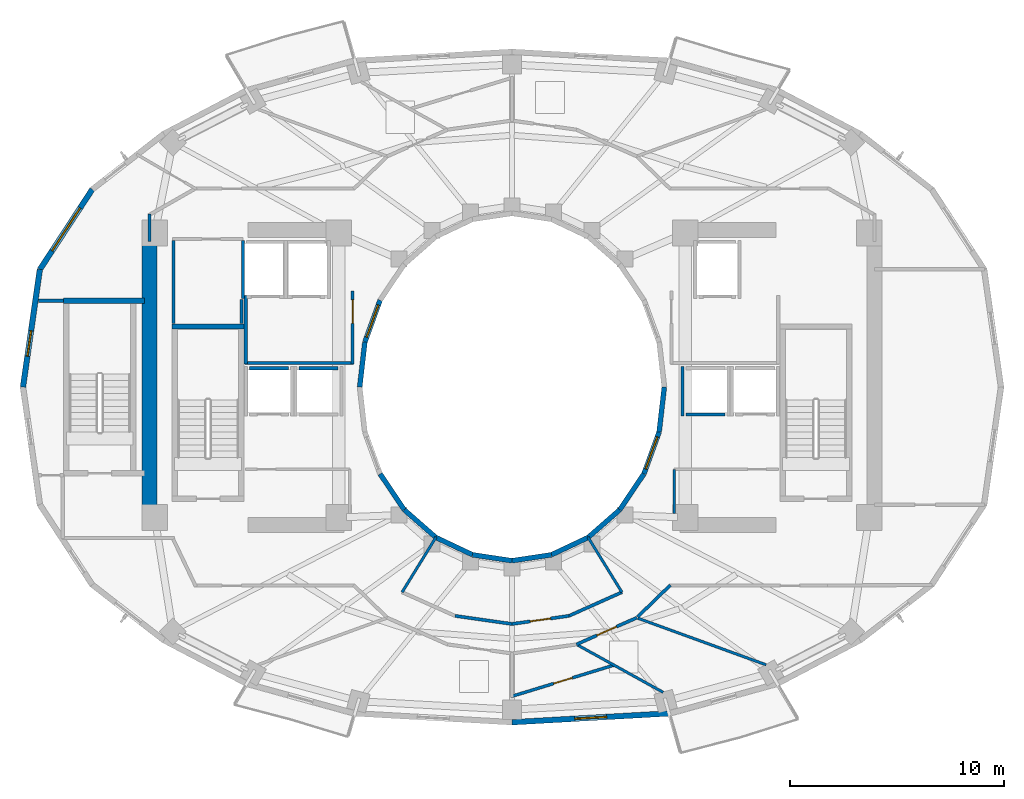
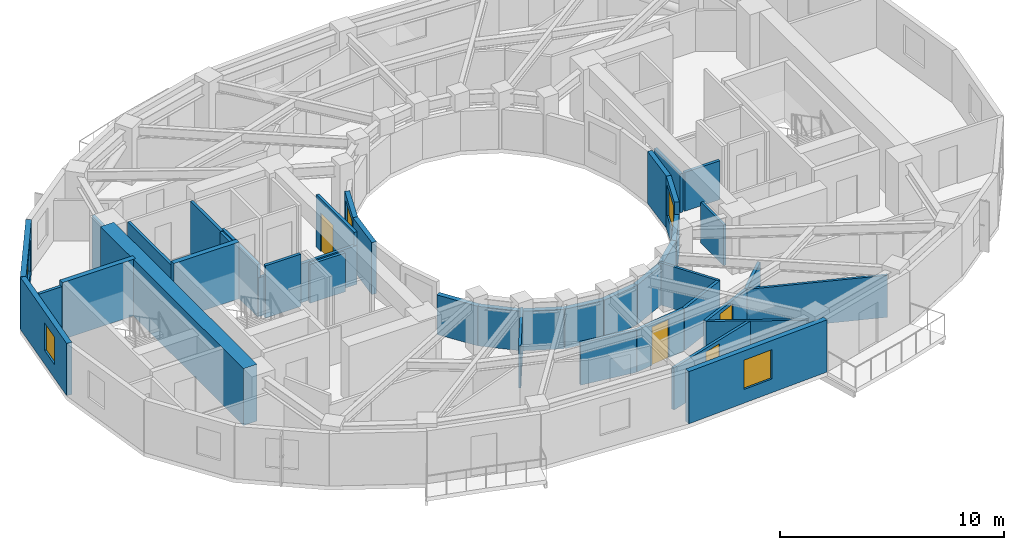
# One storey, part 4 of 10: 41 walls, 5 windows, 4 doors, 9 openings.
"""IFC4 building model written with IfcOpenShell, lengths in metres."""

from ifc_helpers import new_model, si_unit, direction, frame, frame_2d, origin, place, context, subcontext, project, spatial, rectangle, extrude, material, layer, layer_set, type_object, element, fill, save


model = new_model("IFC4")

# Units and contexts
model_context = context("Model", 3, precision=1e-05, world=origin(), true_north=direction((0.0, 1.0)))
body_context = subcontext(model_context, "Body", "Model", "MODEL_VIEW")
ifc_project = project(units=[si_unit("LENGTHUNIT", "METRE"), si_unit("AREAUNIT", "SQUARE_METRE"), si_unit("VOLUMEUNIT", "CUBIC_METRE"), si_unit("PLANEANGLEUNIT", "RADIAN"), si_unit("MASSUNIT", "GRAM", prefix="KILO")], contexts=[model_context])

# Site, building, storey
site_placement = place(None, origin())
site = spatial("IfcSite", under=ifc_project, at=site_placement, CompositionType="ELEMENT")
building_placement = place(site_placement, origin())
building = spatial("IfcBuilding", under=site, at=building_placement, Name="Solvane Sanctuary Tower", CompositionType="ELEMENT")
storey_placement = place(building_placement, frame((0.0, 0.0, 165.300048828125)))
storey = spatial("IfcBuildingStorey", under=building, at=storey_placement, Name="L50", CompositionType="ELEMENT", Elevation=165.300048828125)

# Walls
ifc_material_1 = material(Name="Concrete C60/75", Category="concrete")
ifc_layer_1 = layer(ifc_material_1, 0.699951171875, Name="Concrete C60/75")
ifc_layer_set_1 = layer_set([ifc_layer_1], Name="Concrete C60/75")
wall_type_1 = type_object("IfcWallType", Name="Wall W-CORE-700", PredefinedType="SHEAR", material=ifc_layer_set_1)
wall_1_placement = place(storey_placement, frame((15.050048828125, 17.050048828125, 0.0), z_axis=(0.0, 0.0, 1.0), x_axis=(0.0, 1.0, 0.0)))
element("IfcWall", 1, at=wall_1_placement, inside=storey, type_object=wall_type_1, Name="L50 Core Shear Wall WC-W", PredefinedType="SHEAR", context=body_context, shape_type="SweptSolid", body=[
    extrude(rectangle(XDim=12.800048828125, YDim=0.699951171875, at=frame_2d((6.39990234375, 0.0))), origin(), (0.0, 0.0, 1.0), 3.099853515625),
])
ifc_material_2 = material(Name="Acoustic Gypsum Partition Board")
ifc_layer_2 = layer(ifc_material_2, 0.14990234375, Name="Acoustic Gypsum Partition Board")
ifc_layer_set_2 = layer_set([ifc_layer_2], Name="Acoustic Gypsum Partition Board")
wall_type_2 = type_object("IfcWallType", Name="Wall W-CORR-150", PredefinedType="PARTITIONING", material=ifc_layer_set_2)
wall_2_placement = place(storey_placement, frame((19.52001953125, 24.1201171875, 0.0), z_axis=(0.0, 0.0, 1.0), x_axis=(1.0, 0.0, 0.0)))
element("IfcWall", 2, at=wall_2_placement, inside=storey, type_object=wall_type_2, Name="L50 West Firefighting Lobby South Wall", PredefinedType="PARTITIONING", context=body_context, shape_type="SweptSolid", body=[
    extrude(rectangle(XDim=5.080078125, YDim=0.14990234375, at=frame_2d((2.5400390625, 0.0))), origin(), (0.0, 0.0, 1.0), 2.119873046875),
])
wall_3_placement = place(storey_placement, frame((19.550048828125, 24.080078125, 0.0), z_axis=(0.0, 0.0, 1.0), x_axis=(0.0, 1.0, 0.0)))
element("IfcWall", 3, at=wall_3_placement, inside=storey, type_object=wall_type_2, Name="L50 West Firefighting Lobby West Wall", PredefinedType="PARTITIONING", context=body_context, shape_type="SweptSolid", body=[
    extrude(rectangle(XDim=3.199951171875, YDim=0.14990234375, at=frame_2d((1.60009765625, 0.0))), origin(), (0.0, 0.0, 1.0), 2.85498046875),
])

# Wall, opening, door
wall_4_placement = place(storey_placement, frame((24.550048828125, 24.080078125, 0.0), z_axis=(0.0, 0.0, 1.0), x_axis=(0.0, 1.0, 0.0)))
wall_4 = element("IfcWall", 4, at=wall_4_placement, inside=storey, type_object=wall_type_2, Name="L50 West Firefighting Lobby East Wall", PredefinedType="PARTITIONING", context=body_context, shape_type="SweptSolid", body=[
    extrude(rectangle(XDim=3.39990234375, YDim=0.14990234375, at=frame_2d((1.699951171875, 0.0))), origin(), (0.0, 0.0, 1.0), 2.85498046875),
])
opening_1_placement = place(wall_4_placement, frame((1.893798828125, 0.0, 0.0)))
opening_1 = element("IfcOpeningElement", 5, at=opening_1_placement, cuts=wall_4, Name="Opening D-L50-08", PredefinedType="OPENING", context=body_context, shape_type="SweptSolid", body=[
    extrude(rectangle(XDim=1.10009765625, YDim=2.10009765625, at=frame_2d((0.550048828125, 1.050048828125))), frame((0.0, 0.0849609375, 0.0), z_axis=(0.0, -1.0, 0.0), x_axis=(1.0, 0.0, 0.0)), (0.0, 0.0, 1.0), 0.169921875),
])
ifc_material_3 = material(Name="Architectural Stainless Steel 316", Category="steel")
door_type_1 = type_object("IfcDoorType", Name="Door D-FFL", OperationType="NOTDEFINED", PredefinedType="DOOR", material=ifc_material_3)
door_1_placement = place(opening_1_placement, origin())
door_1 = element("IfcDoor", 6, at=door_1_placement, inside=storey, type_object=door_type_1, Name="L50 West Firefighting Lobby Fire Door", OperationType="SINGLE_SWING_LEFT", OverallHeight=2.10009765625, OverallWidth=1.10009765625, PredefinedType="DOOR", context=body_context, shape_type="SweptSolid", body=[
    extrude(rectangle(XDim=1.10009765625, YDim=2.10009765625, at=frame_2d((0.550048828125, 1.050048828125))), frame((0.0, 0.02490234375, 0.0), z_axis=(0.0, -1.0, 0.0), x_axis=(1.0, 0.0, 0.0)), (0.0, 0.0, 1.0), 0.050048828125),
])
fill(opening_1, door_1)

# Walls
wall_5_placement = place(storey_placement, frame((9.869873046875, 27.030029296875, 0.0), z_axis=(0.0, 0.0, 1.0), x_axis=(1.0, 0.0, 0.0)))
element("IfcWall", 7, at=wall_5_placement, inside=storey, type_object=wall_type_2, Name="L50 NW Corner Closer 1", PredefinedType="PARTITIONING", context=body_context, shape_type="SweptSolid", body=[
    extrude(rectangle(XDim=1.170166015625, YDim=0.14990234375, at=frame_2d((0.5849609375, 0.0))), origin(), (0.0, 0.0, 1.0), 2.85498046875),
])
wall_6_placement = place(storey_placement, frame((15.050048828125, 29.800048828125, 0.0), z_axis=(0.0, 0.0, 1.0), x_axis=(0.0, 1.0, 0.0)))
element("IfcWall", 8, at=wall_6_placement, inside=storey, type_object=wall_type_2, Name="L50 NW Corner Closer 2", PredefinedType="PARTITIONING", context=body_context, shape_type="SweptSolid", body=[
    extrude(rectangle(XDim=1.2900390625, YDim=0.14990234375, at=frame_2d((0.64501953125, 0.0))), origin(), (0.0, 0.0, 1.0), 2.85498046875),
])
wall_7_placement = place(storey_placement, frame((37.867431640625, 12.251220703125, 0.0), z_axis=(0.0, 0.0, 1.0), x_axis=(0.717419568599, 0.696641344302, 0.0)))
element("IfcWall", 9, at=wall_7_placement, inside=storey, type_object=wall_type_2, Name="L50 SE Corner Throat Wall", PredefinedType="PARTITIONING", context=body_context, shape_type="SweptSolid", body=[
    extrude(rectangle(XDim=2.138427734375, YDim=0.14990234375, at=frame_2d((1.0693359375, 0.0))), origin(), (0.0, 0.0, 1.0), 2.299072265625),
])
wall_8_placement = place(storey_placement, frame((29.338623046875, 12.302001953125, 0.0), z_axis=(0.0, 0.0, 1.0), x_axis=(0.990079774468, -0.140506370634, 0.0)))
element("IfcWall", 10, at=wall_8_placement, inside=storey, type_object=wall_type_2, Name="L50 Inner Light-Well Corridor Wall S1", PredefinedType="PARTITIONING", context=body_context, shape_type="SweptSolid", body=[
    extrude(rectangle(XDim=2.689697265625, YDim=0.14990234375, at=frame_2d((1.3447265625, 0.0))), origin(), (0.0, 0.0, 1.0), 2.299072265625),
])

# Wall, opening, door
wall_9_placement = place(storey_placement, frame((31.998291015625, 11.924072265625, 0.0), z_axis=(0.0, 0.0, 1.0), x_axis=(0.990079774468, 0.140506370634, 0.0)))
wall_9 = element("IfcWall", 11, at=wall_9_placement, inside=storey, type_object=wall_type_2, Name="L50 Inner Light-Well Corridor Wall S1", PredefinedType="PARTITIONING", context=body_context, shape_type="SweptSolid", body=[
    extrude(rectangle(XDim=2.689697265625, YDim=0.14990234375, at=frame_2d((1.3447265625, 0.0))), origin(), (0.0, 0.0, 1.0), 2.299072265625),
])
opening_2_placement = place(wall_9_placement, frame((0.869873046875, 0.0, 0.0)))
opening_2 = element("IfcOpeningElement", 12, at=opening_2_placement, cuts=wall_9, Name="Opening D-L50-20", PredefinedType="OPENING", context=body_context, shape_type="SweptSolid", body=[
    extrude(rectangle(XDim=0.949951171875, YDim=2.10009765625, at=frame_2d((0.47509765625, 1.050048828125))), frame((0.0, 0.0849609375, 0.0), z_axis=(0.0, -1.0, 0.0), x_axis=(1.0, 0.0, 0.0)), (0.0, 0.0, 1.0), 0.169921875),
])
ifc_material_4 = material(Name="Engineered Tropical Hardwood", Category="wood")
door_type_2 = type_object("IfcDoorType", Name="Door D-ROOM-950", OperationType="NOTDEFINED", PredefinedType="DOOR", material=ifc_material_4)
door_2_placement = place(opening_2_placement, origin())
door_2 = element("IfcDoor", 13, at=door_2_placement, inside=storey, type_object=door_type_2, Name="L50 Inner Light-Well Salon Door S1", OperationType="SINGLE_SWING_LEFT", OverallHeight=2.10009765625, OverallWidth=0.949951171875, PredefinedType="DOOR", context=body_context, shape_type="SweptSolid", body=[
    extrude(rectangle(XDim=0.949951171875, YDim=2.10009765625, at=frame_2d((0.47509765625, 1.050048828125))), frame((0.0, 0.02490234375, 0.0), z_axis=(0.0, -1.0, 0.0), x_axis=(1.0, 0.0, 0.0)), (0.0, 0.0, 1.0), 0.050048828125),
])
fill(opening_2, door_2)

# Wall
wall_10_placement = place(storey_placement, frame((34.657958984375, 12.30078125, 0.0), z_axis=(0.0, 0.0, 1.0), x_axis=(0.912985265053, 0.407992531545, 0.0)))
element("IfcWall", 14, at=wall_10_placement, inside=storey, type_object=wall_type_2, Name="L50 Inner Light-Well Corridor Wall S1", PredefinedType="PARTITIONING", context=body_context, shape_type="SweptSolid", body=[
    extrude(rectangle(XDim=2.723388671875, YDim=0.14990234375, at=frame_2d((1.36181640625, 0.0))), origin(), (0.0, 0.0, 1.0), 2.299072265625),
])

# Wall, opening, door
wall_11_placement = place(storey_placement, frame((35.0087890625, 10.96630859375, 0.0), z_axis=(0.0, 0.0, 1.0), x_axis=(0.91445214467, 0.404694051239, 0.0)))
wall_11 = element("IfcWall", 15, at=wall_11_placement, inside=storey, type_object=wall_type_2, Name="L50 Unit Corridor Wall S2", PredefinedType="PARTITIONING", context=body_context, shape_type="SweptSolid", body=[
    extrude(rectangle(XDim=3.090576171875, YDim=0.14990234375, at=frame_2d((1.54541015625, 0.0))), origin(), (0.0, 0.0, 1.0), 2.299072265625),
])
opening_3_placement = place(wall_11_placement, frame((1.04541015625, 0.0, 0.0)))
opening_3 = element("IfcOpeningElement", 16, at=opening_3_placement, cuts=wall_11, Name="Opening D-L50-26", PredefinedType="OPENING", context=body_context, shape_type="SweptSolid", body=[
    extrude(rectangle(XDim=1.0, YDim=2.10009765625, at=frame_2d((0.5, 1.050048828125))), frame((0.0, 0.0849609375, 0.0), z_axis=(0.0, -1.0, 0.0), x_axis=(1.0, 0.0, 0.0)), (0.0, 0.0, 1.0), 0.169921875),
])
door_type_3 = type_object("IfcDoorType", Name="Door D-UNIT", OperationType="NOTDEFINED", PredefinedType="DOOR", material=ifc_material_4)
door_3_placement = place(opening_3_placement, origin())
door_3 = element("IfcDoor", 17, at=door_3_placement, inside=storey, type_object=door_type_3, Name="L50 Unit Entrance Door S2", OperationType="SINGLE_SWING_LEFT", OverallHeight=2.10009765625, OverallWidth=1.0, PredefinedType="DOOR", context=body_context, shape_type="SweptSolid", body=[
    extrude(rectangle(XDim=1.0, YDim=2.10009765625, at=frame_2d((0.5, 1.050048828125))), frame((0.0, 0.02490234375, 0.0), z_axis=(0.0, -1.0, 0.0), x_axis=(1.0, 0.0, 0.0)), (0.0, 0.0, 1.0), 0.050048828125),
])
fill(opening_3, door_3)

# Wall, opening, window
ifc_material_5 = material(Name="Precast concrete C40/50", Category="concrete")
ifc_layer_3 = layer(ifc_material_5, 0.260009765625, Name="Precast concrete C40/50")
ifc_layer_set_3 = layer_set([ifc_layer_3], Name="Precast concrete C40/50")
wall_type_3 = type_object("IfcWallType", Name="Wall W-EXT-250", PredefinedType="STANDARD", material=ifc_layer_set_3)
wall_12_placement = place(storey_placement, frame((12.380859375, 32.243408203125, 0.0), z_axis=(0.0, 0.0, 1.0), x_axis=(-0.547456494366, -0.836834145322, 0.0)))
wall_12 = element("IfcWall", 18, at=wall_12_placement, inside=storey, type_object=wall_type_3, Name="L50 Ceramic-Printed Facade Wall 10", PredefinedType="STANDARD", context=body_context, shape_type="SweptSolid", body=[
    extrude(rectangle(XDim=4.477294921875, YDim=0.260009765625, at=frame_2d((2.23876953125, 0.0))), origin(), (0.0, 0.0, 1.0), 2.849853515625),
])
opening_4_placement = place(wall_12_placement, frame((1.038818359375, 0.0, 0.75)))
opening_4 = element("IfcOpeningElement", 19, at=opening_4_placement, cuts=wall_12, Name="Opening WN-RIB-2400", PredefinedType="OPENING", context=body_context, shape_type="SweptSolid", body=[
    extrude(rectangle(XDim=2.39990234375, YDim=1.699951171875, at=frame_2d((1.199951171875, 0.85009765625))), frame((0.0, 0.139892578125, 0.0), z_axis=(0.0, -1.0, 0.0), x_axis=(1.0, 0.0, 0.0)), (0.0, 0.0, 1.0), 0.280029296875),
])
ifc_material_6 = material(Name="Dark Ceramic-Fritted Low-E Glass", Category="glass")
window_type_1 = type_object("IfcWindowType", Name="Window WN-RIB-2400", PartitioningType="SINGLE_PANEL", PredefinedType="WINDOW", material=ifc_material_6)
window_1_placement = place(opening_4_placement, origin())
window_1 = element("IfcWindow", 20, at=window_1_placement, inside=storey, type_object=window_type_1, Name="L50 Operable Facade Window 10", OverallHeight=1.699951171875, OverallWidth=2.39990234375, PartitioningType="SINGLE_PANEL", PredefinedType="WINDOW", context=body_context, shape_type="SweptSolid", body=[
    extrude(rectangle(XDim=2.39990234375, YDim=1.699951171875, at=frame_2d((1.199951171875, 0.85009765625))), frame((0.0, 0.030029296875, 0.0), z_axis=(0.0, -1.0, 0.0), x_axis=(1.0, 0.0, 0.0)), (0.0, 0.0, 1.0), 0.06005859375),
])
fill(opening_4, window_1)

wall_13_placement = place(storey_placement, frame((9.9296875, 28.49658203125, 0.0), z_axis=(0.0, 0.0, 1.0), x_axis=(-0.142227632286, -0.989833976288, 0.0)))
wall_13 = element("IfcWall", 21, at=wall_13_placement, inside=storey, type_object=wall_type_3, Name="L50 Ceramic-Printed Facade Wall 11", PredefinedType="STANDARD", context=body_context, shape_type="SweptSolid", body=[
    extrude(rectangle(XDim=5.552978515625, YDim=0.260009765625, at=frame_2d((2.7763671875, 0.0))), origin(), (0.0, 0.0, 1.0), 2.849853515625),
])
opening_5_placement = place(wall_13_placement, frame((2.892333984375, 0.0, 0.75)))
opening_5 = element("IfcOpeningElement", 22, at=opening_5_placement, cuts=wall_13, Name="Opening WN-OPER-1200", PredefinedType="OPENING", context=body_context, shape_type="SweptSolid", body=[
    extrude(rectangle(XDim=1.199951171875, YDim=1.5, at=frame_2d((0.60009765625, 0.75))), frame((0.0, 0.139892578125, 0.0), z_axis=(0.0, -1.0, 0.0), x_axis=(1.0, 0.0, 0.0)), (0.0, 0.0, 1.0), 0.280029296875),
])
window_type_2 = type_object("IfcWindowType", Name="Window WN-OPER-1200", PartitioningType="SINGLE_PANEL", PredefinedType="WINDOW", material=ifc_material_6)
window_2_placement = place(opening_5_placement, origin())
window_2 = element("IfcWindow", 23, at=window_2_placement, inside=storey, type_object=window_type_2, Name="L50 Operable Facade Window 11", OverallHeight=1.5, OverallWidth=1.199951171875, PartitioningType="SINGLE_PANEL", PredefinedType="WINDOW", context=body_context, shape_type="SweptSolid", body=[
    extrude(rectangle(XDim=1.199951171875, YDim=1.5, at=frame_2d((0.60009765625, 0.75))), frame((0.0, 0.030029296875, 0.0), z_axis=(0.0, -1.0, 0.0), x_axis=(1.0, 0.0, 0.0)), (0.0, 0.0, 1.0), 0.06005859375),
])
fill(opening_5, window_2)

wall_14_placement = place(storey_placement, frame((32.0, 7.32861328125, 0.0), z_axis=(0.0, 0.0, 1.0), x_axis=(0.998417906562, 0.056228852534, 0.0)))
wall_14 = element("IfcWall", 24, at=wall_14_placement, inside=storey, type_object=wall_type_3, Name="L50 Ceramic-Printed Facade Wall 18", PredefinedType="STANDARD", context=body_context, shape_type="SweptSolid", body=[
    extrude(rectangle(XDim=7.376953125, YDim=0.260009765625, at=frame_2d((3.6884765625, 0.0))), origin(), (0.0, 0.0, 1.0), 2.849853515625),
])
opening_6_placement = place(wall_14_placement, frame((2.9384765625, 0.0, 0.75)))
opening_6 = element("IfcOpeningElement", 25, at=opening_6_placement, cuts=wall_14, Name="Opening WN-OPER-1500", PredefinedType="OPENING", context=body_context, shape_type="SweptSolid", body=[
    extrude(rectangle(XDim=1.5, YDim=1.60009765625, at=frame_2d((0.75, 0.800048828125))), frame((0.0, 0.139892578125, 0.0), z_axis=(0.0, -1.0, 0.0), x_axis=(1.0, 0.0, 0.0)), (0.0, 0.0, 1.0), 0.280029296875),
])
window_type_3 = type_object("IfcWindowType", Name="Window WN-OPER-1500", PartitioningType="SINGLE_PANEL", PredefinedType="WINDOW", material=ifc_material_6)
window_3_placement = place(opening_6_placement, origin())
window_3 = element("IfcWindow", 26, at=window_3_placement, inside=storey, type_object=window_type_3, Name="L50 Operable Facade Window 18", OverallHeight=1.60009765625, OverallWidth=1.5, PartitioningType="SINGLE_PANEL", PredefinedType="WINDOW", context=body_context, shape_type="SweptSolid", body=[
    extrude(rectangle(XDim=1.5, YDim=1.60009765625, at=frame_2d((0.75, 0.800048828125))), frame((0.0, 0.030029296875, 0.0), z_axis=(0.0, -1.0, 0.0), x_axis=(1.0, 0.0, 0.0)), (0.0, 0.0, 1.0), 0.06005859375),
])
fill(opening_6, window_3)

ifc_layer_4 = layer(ifc_material_5, 0.22998046875, Name="Precast concrete C40/50")
ifc_layer_set_4 = layer_set([ifc_layer_4], Name="Precast concrete C40/50")
wall_type_4 = type_object("IfcWallType", Name="Wall W-EXT-SP220", PredefinedType="STANDARD", material=ifc_layer_set_4)
wall_15_placement = place(storey_placement, frame((25.833984375, 27.06005859375, 0.0), z_axis=(0.0, 0.0, 1.0), x_axis=(-0.341423187295, -0.93990968033, 0.0)))
wall_15 = element("IfcWall", 27, at=wall_15_placement, inside=storey, type_object=wall_type_4, Name="L50 Central Light-Well Wall 10", PredefinedType="STANDARD", context=body_context, shape_type="SweptSolid", body=[
    extrude(rectangle(XDim=2.083740234375, YDim=0.22998046875, at=frame_2d((1.0419921875, 0.0))), origin(), (0.0, 0.0, 1.0), 2.83984375),
])
opening_7_placement = place(wall_15_placement, frame((0.24169921875, 0.0, 0.85009765625)))
opening_7 = element("IfcOpeningElement", 28, at=opening_7_placement, cuts=wall_15, Name="Opening WN-WELL-1600", PredefinedType="OPENING", context=body_context, shape_type="SweptSolid", body=[
    extrude(rectangle(XDim=1.60009765625, YDim=1.64990234375, at=frame_2d((0.800048828125, 0.824951171875))), frame((0.0, 0.125, 0.0), z_axis=(0.0, -1.0, 0.0), x_axis=(1.0, 0.0, 0.0)), (0.0, 0.0, 1.0), 0.25),
])
ifc_material_7 = material(Name="Clear Laminated Light-Well Glass", Category="glass")
window_type_4 = type_object("IfcWindowType", Name="Window WN-WELL-1600", PartitioningType="SINGLE_PANEL", PredefinedType="WINDOW", material=ifc_material_7)
window_4_placement = place(opening_7_placement, origin())
window_4 = element("IfcWindow", 29, at=window_4_placement, inside=storey, type_object=window_type_4, Name="L50 Light-Well Daylight Window 10", OverallHeight=1.64990234375, OverallWidth=1.60009765625, PartitioningType="SINGLE_PANEL", PredefinedType="WINDOW", context=body_context, shape_type="SweptSolid", body=[
    extrude(rectangle(XDim=1.60009765625, YDim=1.64990234375, at=frame_2d((0.800048828125, 0.824951171875))), frame((0.0, 0.030029296875, 0.0), z_axis=(0.0, -1.0, 0.0), x_axis=(1.0, 0.0, 0.0)), (0.0, 0.0, 1.0), 0.06005859375),
])
fill(opening_7, window_4)

# Walls
wall_16_placement = place(storey_placement, frame((25.12255859375, 25.1015625, 0.0), z_axis=(0.0, 0.0, 1.0), x_axis=(-0.114711713601, -0.993398823617, 0.0)))
element("IfcWall", 30, at=wall_16_placement, inside=storey, type_object=wall_type_4, Name="L50 Central Light-Well Wall 11", PredefinedType="STANDARD", context=body_context, shape_type="SweptSolid", body=[
    extrude(rectangle(XDim=2.115478515625, YDim=0.22998046875, at=frame_2d((1.0576171875, 0.0))), origin(), (0.0, 0.0, 1.0), 2.83984375),
])
wall_17_placement = place(storey_placement, frame((25.833984375, 18.93994140625, 0.0), z_axis=(0.0, 0.0, 1.0), x_axis=(0.558197800898, -0.829707909492, 0.0)))
element("IfcWall", 31, at=wall_17_placement, inside=storey, type_object=wall_type_4, Name="L50 Central Light-Well Wall 14", PredefinedType="STANDARD", context=body_context, shape_type="SweptSolid", body=[
    extrude(rectangle(XDim=2.02685546875, YDim=0.22998046875, at=frame_2d((1.013427734375, 0.0))), origin(), (0.0, 0.0, 1.0), 2.159912109375),
])
wall_18_placement = place(storey_placement, frame((26.96533203125, 17.25830078125, 0.0), z_axis=(0.0, 0.0, 1.0), x_axis=(0.752576694707, -0.658504607869, 0.0)))
element("IfcWall", 32, at=wall_18_placement, inside=storey, type_object=wall_type_4, Name="L50 Central Light-Well Wall 15", PredefinedType="STANDARD", context=body_context, shape_type="SweptSolid", body=[
    extrude(rectangle(XDim=1.95947265625, YDim=0.22998046875, at=frame_2d((0.979736328125, 0.0))), origin(), (0.0, 0.0, 1.0), 2.159912109375),
])
wall_19_placement = place(storey_placement, frame((28.43994140625, 15.968017578125, 0.0), z_axis=(0.0, 0.0, 1.0), x_axis=(0.904179699603, -0.427152280606, 0.0)))
element("IfcWall", 33, at=wall_19_placement, inside=storey, type_object=wall_type_4, Name="L50 Central Light-Well Wall 16", PredefinedType="STANDARD", context=body_context, shape_type="SweptSolid", body=[
    extrude(rectangle(XDim=1.899169921875, YDim=0.22998046875, at=frame_2d((0.94970703125, 0.0))), origin(), (0.0, 0.0, 1.0), 2.159912109375),
])
for number, where, z_axis, x_axis, name in (
    (34, (30.1572265625, 15.15673828125, 0.0), (0.0, 0.0, 1.0), (0.988901730308, -0.148571086668, 0.0), "L50 Central Light-Well Wall 17"),
    (35, (32.0, 14.8798828125, 0.0), (0.0, 0.0, 1.0), (0.988901730308, 0.148571086668, 0.0), "L50 Central Light-Well Wall 18"),
):
    element("IfcWall", number, at=place(storey_placement, frame(where, z_axis=z_axis, x_axis=x_axis)), inside=storey, type_object=wall_type_4, Name=name, PredefinedType="STANDARD", context=body_context, shape_type="SweptSolid", body=[
        extrude(rectangle(XDim=1.863525390625, YDim=0.22998046875, at=frame_2d((0.931640625, 0.0))), origin(), (0.0, 0.0, 1.0), 2.159912109375),
    ])
wall_20_placement = place(storey_placement, frame((33.8427734375, 15.15673828125, 0.0), z_axis=(0.0, 0.0, 1.0), x_axis=(0.904179699603, 0.427152280606, 0.0)))
element("IfcWall", 36, at=wall_20_placement, inside=storey, type_object=wall_type_4, Name="L50 Central Light-Well Wall 19", PredefinedType="STANDARD", context=body_context, shape_type="SweptSolid", body=[
    extrude(rectangle(XDim=1.899169921875, YDim=0.22998046875, at=frame_2d((0.94970703125, 0.0))), origin(), (0.0, 0.0, 1.0), 2.159912109375),
])
wall_21_placement = place(storey_placement, frame((35.56005859375, 15.968017578125, 0.0), z_axis=(0.0, 0.0, 1.0), x_axis=(0.752576694707, 0.658504607869, 0.0)))
element("IfcWall", 37, at=wall_21_placement, inside=storey, type_object=wall_type_4, Name="L50 Central Light-Well Wall 20", PredefinedType="STANDARD", context=body_context, shape_type="SweptSolid", body=[
    extrude(rectangle(XDim=1.95947265625, YDim=0.22998046875, at=frame_2d((0.979736328125, 0.0))), origin(), (0.0, 0.0, 1.0), 2.159912109375),
])
wall_22_placement = place(storey_placement, frame((37.03466796875, 17.25830078125, 0.0), z_axis=(0.0, 0.0, 1.0), x_axis=(0.558197800898, 0.829707909492, 0.0)))
element("IfcWall", 38, at=wall_22_placement, inside=storey, type_object=wall_type_4, Name="L50 Central Light-Well Wall 21", PredefinedType="STANDARD", context=body_context, shape_type="SweptSolid", body=[
    extrude(rectangle(XDim=2.02685546875, YDim=0.22998046875, at=frame_2d((1.013427734375, 0.0))), origin(), (0.0, 0.0, 1.0), 2.159912109375),
])

# Wall, opening, window
wall_23_placement = place(storey_placement, frame((38.166015625, 18.93994140625, 0.0), z_axis=(0.0, 0.0, 1.0), x_axis=(0.341423187295, 0.93990968033, 0.0)))
wall_23 = element("IfcWall", 39, at=wall_23_placement, inside=storey, type_object=wall_type_4, Name="L50 Central Light-Well Wall 22", PredefinedType="STANDARD", context=body_context, shape_type="SweptSolid", body=[
    extrude(rectangle(XDim=2.083740234375, YDim=0.22998046875, at=frame_2d((1.0419921875, 0.0))), origin(), (0.0, 0.0, 1.0), 2.83984375),
])
opening_8_placement = place(wall_23_placement, frame((0.24169921875, 0.0, 0.85009765625)))
opening_8 = element("IfcOpeningElement", 40, at=opening_8_placement, cuts=wall_23, Name="Opening WN-WELL-1600", PredefinedType="OPENING", context=body_context, shape_type="SweptSolid", body=[
    extrude(rectangle(XDim=1.60009765625, YDim=1.64990234375, at=frame_2d((0.800048828125, 0.824951171875))), frame((0.0, 0.125, 0.0), z_axis=(0.0, -1.0, 0.0), x_axis=(1.0, 0.0, 0.0)), (0.0, 0.0, 1.0), 0.25),
])
window_5_placement = place(opening_8_placement, origin())
window_5 = element("IfcWindow", 41, at=window_5_placement, inside=storey, type_object=window_type_4, Name="L50 Light-Well Daylight Window 22", OverallHeight=1.64990234375, OverallWidth=1.60009765625, PartitioningType="SINGLE_PANEL", PredefinedType="WINDOW", context=body_context, shape_type="SweptSolid", body=[
    extrude(rectangle(XDim=1.60009765625, YDim=1.64990234375, at=frame_2d((0.800048828125, 0.824951171875))), frame((0.0, 0.030029296875, 0.0), z_axis=(0.0, -1.0, 0.0), x_axis=(1.0, 0.0, 0.0)), (0.0, 0.0, 1.0), 0.06005859375),
])
fill(opening_8, window_5)

# Walls
wall_24_placement = place(storey_placement, frame((38.87744140625, 20.8984375, 0.0), z_axis=(0.0, 0.0, 1.0), x_axis=(0.114711713601, 0.993398823617, 0.0)))
element("IfcWall", 42, at=wall_24_placement, inside=storey, type_object=wall_type_4, Name="L50 Central Light-Well Wall 23", PredefinedType="STANDARD", context=body_context, shape_type="SweptSolid", body=[
    extrude(rectangle(XDim=2.115478515625, YDim=0.22998046875, at=frame_2d((1.0576171875, 0.0))), origin(), (0.0, 0.0, 1.0), 2.83984375),
])
ifc_layer_5 = layer(ifc_material_2, 0.125, Name="Acoustic Gypsum Partition Board")
ifc_layer_set_5 = layer_set([ifc_layer_5], Name="Acoustic Gypsum Partition Board")
wall_type_5 = type_object("IfcWallType", Name="Wall W-PART-125", PredefinedType="PARTITIONING", material=ifc_layer_set_5)
wall_25_placement = place(storey_placement, frame((39.580078125, 17.10009765625, 0.0), z_axis=(0.0, 0.0, 1.0), x_axis=(0.0, 1.0, 0.0)))
element("IfcWall", 43, at=wall_25_placement, inside=storey, type_object=wall_type_5, Name="L50 Reclaimed Room Closer Wall PLE-1", PredefinedType="PARTITIONING", context=body_context, shape_type="SweptSolid", body=[
    extrude(rectangle(XDim=2.039794921875, YDim=0.125, at=frame_2d((1.02001953125, 0.0))), origin(), (0.0, 0.0, 1.0), 2.23193359375),
])
for number, where, z_axis, x_axis, name in (
    (44, (28.449951171875, 15.985107421875, 0.0), (0.0, 0.0, 1.0), (-0.524565340045, -0.851370192116, 0.0), "L50 Inner Light-Well Radial Wall 240"),
    (45, (35.550048828125, 15.985107421875, 0.0), (0.0, 0.0, 1.0), (0.524565340045, -0.851370192116, 0.0), "L50 Inner Light-Well Radial Wall 300"),
):
    element("IfcWall", number, at=place(storey_placement, frame(where, z_axis=z_axis, x_axis=x_axis)), inside=storey, type_object=wall_type_5, Name=name, PredefinedType="PARTITIONING", context=body_context, shape_type="SweptSolid", body=[
        extrude(rectangle(XDim=3.027099609375, YDim=0.125, at=frame_2d((1.513671875, 0.0))), origin(), (0.0, 0.0, 1.0), 2.299072265625),
    ])
wall_26_placement = place(storey_placement, frame((35.06494140625, 10.94189453125, 0.0), z_axis=(0.0, 0.0, 1.0), x_axis=(0.875077338582, -0.48398311076, 0.0)))
element("IfcWall", 46, at=wall_26_placement, inside=storey, type_object=wall_type_5, Name="L50 Radial Compartment Wall 285", PredefinedType="PARTITIONING", context=body_context, shape_type="SweptSolid", body=[
    extrude(rectangle(XDim=4.5732421875, YDim=0.125, at=frame_2d((2.28662109375, 0.0))), origin(), (0.0, 0.0, 1.0), 2.299072265625),
])
wall_27_placement = place(storey_placement, frame((37.879638671875, 12.194091796875, 0.0), z_axis=(0.0, 0.0, 1.0), x_axis=(0.939901628116, -0.341445353557, 0.0)))
element("IfcWall", 47, at=wall_27_placement, inside=storey, type_object=wall_type_5, Name="L50 Radial Compartment Wall 300", PredefinedType="PARTITIONING", context=body_context, shape_type="SweptSolid", body=[
    extrude(rectangle(XDim=6.38720703125, YDim=0.125, at=frame_2d((3.193603515625, 0.0))), origin(), (0.0, 0.0, 1.0), 2.299072265625),
])
ifc_material_8 = material(Name="Concrete C50/60", Category="concrete")
ifc_layer_6 = layer(ifc_material_8, 0.14990234375, Name="Concrete C50/60")
ifc_layer_set_6 = layer_set([ifc_layer_6], Name="Concrete C50/60")
wall_type_6 = type_object("IfcWallType", Name="Wall W-SHAFT-150", PredefinedType="SOLIDWALL", material=ifc_layer_set_6)
wall_28_placement = place(storey_placement, frame((19.739990234375, 23.8798828125, 0.0), z_axis=(0.0, 0.0, 1.0), x_axis=(1.0, 0.0, 0.0)))
element("IfcWall", 48, at=wall_28_placement, inside=storey, type_object=wall_type_6, Name="L50 PM-1 Lift Shaft Wall B", PredefinedType="SOLIDWALL", context=body_context, shape_type="SweptSolid", body=[
    extrude(rectangle(XDim=1.820068359375, YDim=0.14990234375, at=frame_2d((0.91015625, 0.0))), origin(), (0.0, 0.0, 1.0), 2.85498046875),
])
for number, where, z_axis, x_axis, name in (
    (49, (22.0400390625, 23.8798828125, 0.0), (0.0, 0.0, 1.0), (1.0, 0.0, 0.0), "L50 PH-1 Lift Shaft Wall B"),
    (50, (40.139892578125, 21.719970703125, 0.0), (0.0, 0.0, 1.0), (1.0, 0.0, 0.0), "L50 PH-2 Lift Shaft Wall F"),
):
    element("IfcWall", number, at=place(storey_placement, frame(where, z_axis=z_axis, x_axis=x_axis)), inside=storey, type_object=wall_type_6, Name=name, PredefinedType="SOLIDWALL", context=body_context, shape_type="SweptSolid", body=[
        extrude(rectangle(XDim=1.820068359375, YDim=0.14990234375, at=frame_2d((0.91015625, 0.0))), origin(), (0.0, 0.0, 1.0), 2.119873046875),
    ])
wall_29_placement = place(storey_placement, frame((39.969970703125, 21.639892578125, 0.0), z_axis=(0.0, 0.0, 1.0), x_axis=(0.0, 1.0, 0.0)))
element("IfcWall", 51, at=wall_29_placement, inside=storey, type_object=wall_type_6, Name="L50 PH-2 Lift Shaft Wall S1", PredefinedType="SOLIDWALL", context=body_context, shape_type="SweptSolid", body=[
    extrude(rectangle(XDim=2.320068359375, YDim=0.14990234375, at=frame_2d((1.16015625, 0.0))), origin(), (0.0, 0.0, 1.0), 2.119873046875),
])
wall_30_placement = place(storey_placement, frame((19.419921875, 27.139892578125, 0.0), z_axis=(0.0, 0.0, 1.0), x_axis=(0.0, 1.0, 0.0)))
element("IfcWall", 52, at=wall_30_placement, inside=storey, type_object=wall_type_6, Name="L50 FFL-1 Lift Shaft Wall S1", PredefinedType="SOLIDWALL", context=body_context, shape_type="SweptSolid", body=[
    extrude(rectangle(XDim=2.72021484375, YDim=0.14990234375, at=frame_2d((1.360107421875, 0.0))), origin(), (0.0, 0.0, 1.0), 2.85498046875),
])
ifc_layer_7 = layer(ifc_material_8, 0.25, Name="Concrete C50/60")
ifc_layer_set_7 = layer_set([ifc_layer_7], Name="Concrete C50/60")
wall_type_7 = type_object("IfcWallType", Name="Wall W-SHAFT-250", PredefinedType="SOLIDWALL", material=ifc_layer_set_7)
wall_31_placement = place(storey_placement, frame((16.10498046875, 25.830078125, 0.0), z_axis=(0.0, 0.0, 1.0), x_axis=(1.0, 0.0, 0.0)))
element("IfcWall", 53, at=wall_31_placement, inside=storey, type_object=wall_type_7, Name="L50 ST-1 Load-Bearing Shaft Wall N", PredefinedType="SOLIDWALL", context=body_context, shape_type="SweptSolid", body=[
    extrude(rectangle(XDim=3.3701171875, YDim=0.25, at=frame_2d((1.68505859375, 0.0))), origin(), (0.0, 0.0, 1.0), 3.099853515625),
])
wall_32_placement = place(storey_placement, frame((11.044921875, 27.030029296875, 0.0), z_axis=(0.0, 0.0, 1.0), x_axis=(1.0, 0.0, 0.0)))
element("IfcWall", 54, at=wall_32_placement, inside=storey, type_object=wall_type_7, Name="L50 ST-3 Load-Bearing Shaft Wall N", PredefinedType="SOLIDWALL", context=body_context, shape_type="SweptSolid", body=[
    extrude(rectangle(XDim=3.781982421875, YDim=0.25, at=frame_2d((1.89111328125, 0.0))), origin(), (0.0, 0.0, 1.0), 3.099853515625),
])
ifc_layer_8 = layer(ifc_material_2, 0.139892578125, Name="Acoustic Gypsum Partition Board")
ifc_layer_set_8 = layer_set([ifc_layer_8], Name="Acoustic Gypsum Partition Board")
wall_type_8 = type_object("IfcWallType", Name="Wall W-WET-140", PredefinedType="PLUMBINGWALL", material=ifc_layer_set_8)
wall_33_placement = place(storey_placement, frame((16.179931640625, 25.97998046875, 0.0), z_axis=(0.0, 0.0, 1.0), x_axis=(0.0, 1.0, 0.0)))
element("IfcWall", 55, at=wall_33_placement, inside=storey, type_object=wall_type_8, Name="L50 Core Service Side Wall KW0-1", PredefinedType="PLUMBINGWALL", context=body_context, shape_type="SweptSolid", body=[
    extrude(rectangle(XDim=3.880126953125, YDim=0.139892578125, at=frame_2d((1.93994140625, 0.0))), origin(), (0.0, 0.0, 1.0), 2.85498046875),
])
wall_34_placement = place(storey_placement, frame((19.360107421875, 25.97998046875, 0.0), z_axis=(0.0, 0.0, 1.0), x_axis=(0.0, 1.0, 0.0)))
element("IfcWall", 56, at=wall_34_placement, inside=storey, type_object=wall_type_8, Name="L50 Core Service Side Wall KW0-2", PredefinedType="PLUMBINGWALL", context=body_context, shape_type="SweptSolid", body=[
    extrude(rectangle(XDim=1.1201171875, YDim=0.139892578125, at=frame_2d((0.56005859375, 0.0))), origin(), (0.0, 0.0, 1.0), 2.85498046875),
])

# Wall, opening, door
wall_35_placement = place(storey_placement, frame((31.9521484375, 8.529296875, 0.0), z_axis=(0.0, 0.0, 1.0), x_axis=(0.956348216259, 0.292229514694, 0.0)))
wall_35 = element("IfcWall", 57, at=wall_35_placement, inside=storey, type_object=wall_type_8, Name="L50 En-suite Bedroom Wall S1", PredefinedType="PLUMBINGWALL", context=body_context, shape_type="SweptSolid", body=[
    extrude(rectangle(XDim=5.08447265625, YDim=0.139892578125, at=frame_2d((2.542236328125, 0.0))), origin(), (0.0, 0.0, 1.0), 2.299072265625),
])
opening_9_placement = place(wall_35_placement, frame((2.09228515625, 0.0, 0.0)))
opening_9 = element("IfcOpeningElement", 58, at=opening_9_placement, cuts=wall_35, Name="Opening D-L50-24", PredefinedType="OPENING", context=body_context, shape_type="SweptSolid", body=[
    extrude(rectangle(XDim=0.89990234375, YDim=2.10009765625, at=frame_2d((0.449951171875, 1.050048828125))), frame((0.0, 0.079833984375, 0.0), z_axis=(0.0, -1.0, 0.0), x_axis=(1.0, 0.0, 0.0)), (0.0, 0.0, 1.0), 0.159912109375),
])
door_type_4 = type_object("IfcDoorType", Name="Door D-WET-900", OperationType="NOTDEFINED", PredefinedType="DOOR", material=ifc_material_4)
door_4_placement = place(opening_9_placement, origin())
door_4 = element("IfcDoor", 59, at=door_4_placement, inside=storey, type_object=door_type_4, Name="L50 En-suite Bathroom Door S1", OperationType="SINGLE_SWING_LEFT", OverallHeight=2.10009765625, OverallWidth=0.89990234375, PredefinedType="DOOR", context=body_context, shape_type="SweptSolid", body=[
    extrude(rectangle(XDim=0.89990234375, YDim=2.10009765625, at=frame_2d((0.449951171875, 1.050048828125))), frame((0.0, 0.02490234375, 0.0), z_axis=(0.0, -1.0, 0.0), x_axis=(1.0, 0.0, 0.0)), (0.0, 0.0, 1.0), 0.050048828125),
])
fill(opening_9, door_4)

save(model, "model.ifc")
